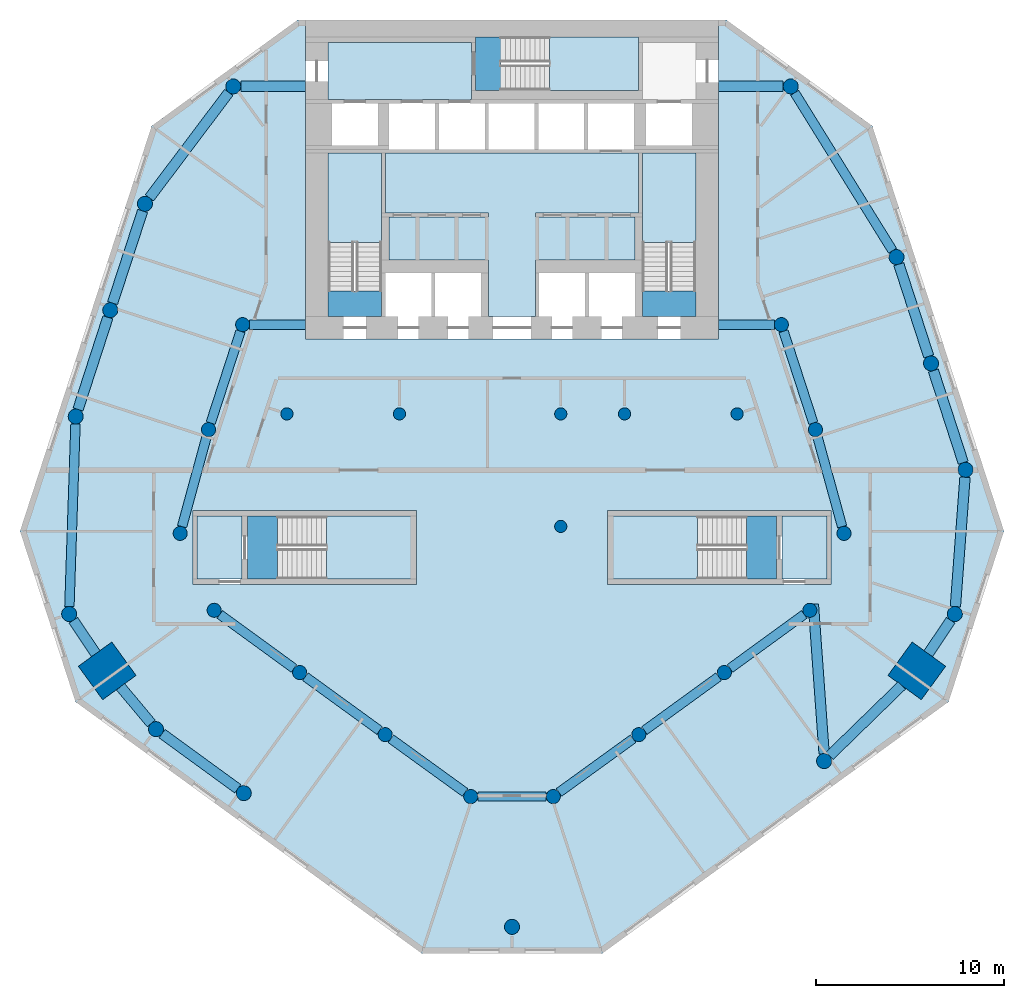
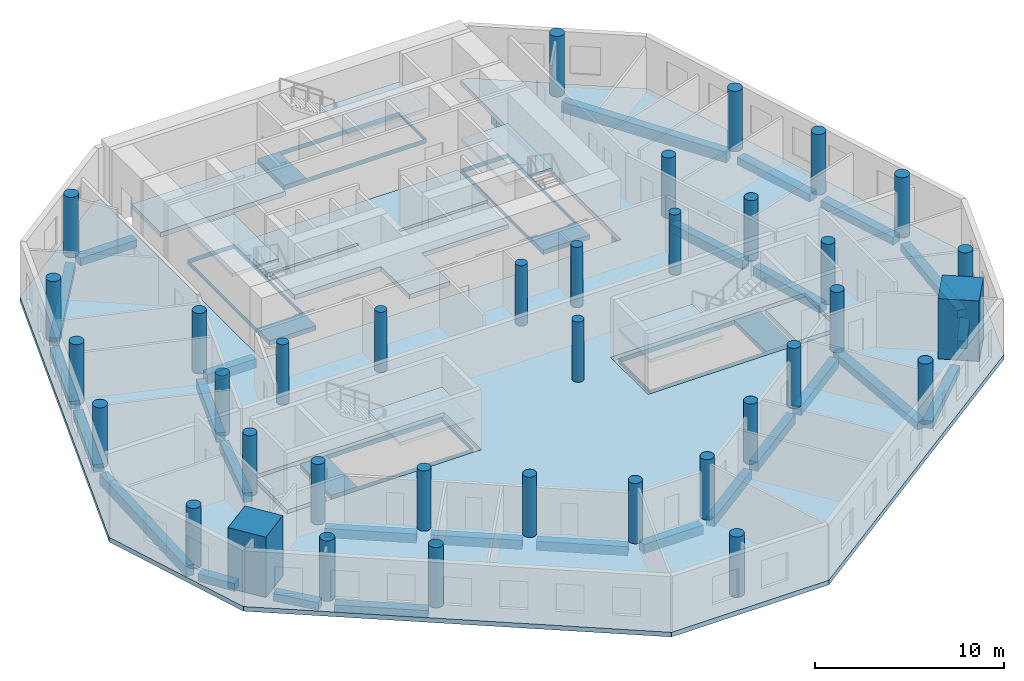
# One storey, part 1 of 9: 36 columns, 29 beams, 15 slabs, 5 elements without a shape of their own.
"""IFC4 building model written with IfcOpenShell, lengths in metres."""

from ifc_helpers import new_model, si_unit, direction, frame, origin, origin_2d, place, context, subcontext, project, spatial, polyline, rectangle, circle, outline, extrude, material, layer, layer_set, material_profile, profile_set, type_object, element, aggregate, save


model = new_model("IFC4")

# Units and contexts
model_context = context("Model", 3, precision=1e-05, world=origin(), true_north=direction((0.0, 1.0)))
body_context = subcontext(model_context, "Body", "Model", "MODEL_VIEW")
ifc_project = project(units=[si_unit("LENGTHUNIT", "METRE"), si_unit("AREAUNIT", "SQUARE_METRE"), si_unit("VOLUMEUNIT", "CUBIC_METRE"), si_unit("PLANEANGLEUNIT", "RADIAN"), si_unit("MASSUNIT", "GRAM", prefix="KILO")], contexts=[model_context])

# Site, building, storey
site_placement = place(None, origin())
site = spatial("IfcSite", under=ifc_project, at=site_placement, CompositionType="ELEMENT")
building_placement = place(site_placement, origin())
building = spatial("IfcBuilding", under=site, at=building_placement, Name="White Candle Pilgrim Tower", CompositionType="ELEMENT")
storey_placement = place(building_placement, frame((0.0, 0.0, 62.39990234375)))
storey = spatial("IfcBuildingStorey", under=building, at=storey_placement, Name="L12", CompositionType="ELEMENT", Elevation=62.39990234375)

# Columns
ifc_material_1 = material(Name="Concrete C80/95", Category="concrete")
ifc_material_profile_1 = material_profile(ifc_material_1, circle(Radius=0.324951171875, at=origin_2d()), Name="RC-COL D650")
ifc_profile_set_1 = profile_set([ifc_material_profile_1], Name="Concrete C80/95")
column_type_1 = type_object("IfcColumnType", Name="Interior column RC-COL D650 C80/95", PredefinedType="COLUMN", material=ifc_profile_set_1)
for number, where, z_axis, x_axis, name in (
    (1, (58.0, 67.0, 0.0), (0.0, 0.0, 1.0), (1.0, 0.0, 0.0), "L12 column I01"),
    (2, (64.0, 67.0, 0.0), (0.0, 0.0, 1.0), (1.0, 0.0, 0.0), "L12 column I02"),
    (3, (72.60009765625, 61.0, 0.0), (0.0, 0.0, 1.0), (1.0, 0.0, 0.0), "L12 column I03"),
    (4, (72.60009765625, 67.0, 0.0), (0.0, 0.0, 1.0), (1.0, 0.0, 0.0), "L12 column I04"),
    (5, (76.0, 67.0, 0.0), (0.0, 0.0, 1.0), (1.0, 0.0, 0.0), "L12 column I05"),
    (6, (82.0, 67.0, 0.0), (0.0, 0.0, 1.0), (1.0, 0.0, 0.0), "L12 column I06"),
):
    element("IfcColumn", number, at=place(storey_placement, frame(where, z_axis=z_axis, x_axis=x_axis)), inside=storey, type_object=column_type_1, Name=name, PredefinedType="COLUMN", context=body_context, shape_type="SweptSolid", body=[
        extrude(circle(Radius=0.324951171875, at=origin_2d()), origin(), (0.0, 0.0, 1.0), 3.900146484375),
    ])
ifc_material_profile_2 = material_profile(ifc_material_1, rectangle(XDim=2.199951171875, YDim=2.199951171875, at=origin_2d()), Name="RC 2200x2200")
ifc_profile_set_2 = profile_set([ifc_material_profile_2], Name="Concrete C80/95")
column_type_2 = type_object("IfcColumnType", Name="Mega column RC 2200x2200 C80/95", PredefinedType="COLUMN", material=ifc_profile_set_2)
for number, where, z_axis, x_axis, name in (
    (7, (48.419921875, 53.300048828125, 0.0), (0.0, 0.0, 1.0), (-0.809016994375, -0.587785252292, 0.0), "L12 mega column T02"),
    (8, (91.580078125, 53.300048828125, 0.0), (0.0, 0.0, 1.0), (0.809016994375, -0.587785252292, 0.0), "L12 mega column T07"),
):
    element("IfcColumn", number, at=place(storey_placement, frame(where, z_axis=z_axis, x_axis=x_axis)), inside=storey, type_object=column_type_2, Name=name, PredefinedType="COLUMN", context=body_context, shape_type="SweptSolid", body=[
        extrude(rectangle(XDim=2.199951171875, YDim=2.199951171875, at=origin_2d()), origin(), (0.0, 0.0, 1.0), 3.900146484375),
    ])
ifc_material_profile_3 = material_profile(ifc_material_1, circle(Radius=0.39990234375, at=origin_2d()), Name="RC-COL D800")
ifc_profile_set_3 = profile_set([ifc_material_profile_3], Name="Concrete C80/95")
column_type_3 = type_object("IfcColumnType", Name="Perimeter column RC-COL D800 C80/95", PredefinedType="COLUMN", material=ifc_profile_set_3)
for number, where, z_axis, x_axis, name in (
    (9, (46.389892578125, 56.330078125, 0.0), (0.0, 0.0, 1.0), (1.0, 0.0, 0.0), "L12 column T01"),
    (10, (51.02001953125, 50.18994140625, 0.0), (0.0, 0.0, 1.0), (1.0, 0.0, 0.0), "L12 column T03"),
    (11, (55.699951171875, 46.780029296875, 0.0), (0.0, 0.0, 1.0), (1.0, 0.0, 0.0), "L12 column T04"),
    (12, (70.0, 39.64990234375, 0.0), (0.0, 0.0, 1.0), (1.0, 0.0, 0.0), "L12 column T05"),
    (13, (86.639892578125, 48.489990234375, 0.0), (0.0, 0.0, 1.0), (1.0, 0.0, 0.0), "L12 column T06"),
    (14, (93.610107421875, 56.330078125, 0.0), (0.0, 0.0, 1.0), (1.0, 0.0, 0.0), "L12 column T08"),
    (15, (94.179931640625, 64.02001953125, 0.0), (0.0, 0.0, 1.0), (1.0, 0.0, 0.0), "L12 column T09"),
    (16, (92.340087890625, 69.68994140625, 0.0), (0.0, 0.0, 1.0), (1.0, 0.0, 0.0), "L12 column T10"),
    (17, (90.5, 75.360107421875, 0.0), (0.0, 0.0, 1.0), (1.0, 0.0, 0.0), "L12 column T11"),
    (18, (84.860107421875, 84.4599609375, 0.0), (0.0, 0.0, 1.0), (1.0, 0.0, 0.0), "L12 column T12"),
    (19, (55.139892578125, 84.4599609375, 0.0), (0.0, 0.0, 1.0), (1.0, 0.0, 0.0), "L12 column T13"),
    (20, (50.429931640625, 78.199951171875, 0.0), (0.0, 0.0, 1.0), (1.0, 0.0, 0.0), "L12 column T14"),
    (21, (48.580078125, 72.530029296875, 0.0), (0.0, 0.0, 1.0), (1.0, 0.0, 0.0), "L12 column T15"),
    (22, (46.739990234375, 66.860107421875, 0.0), (0.0, 0.0, 1.0), (1.0, 0.0, 0.0), "L12 column T16"),
):
    element("IfcColumn", number, at=place(storey_placement, frame(where, z_axis=z_axis, x_axis=x_axis)), inside=storey, type_object=column_type_3, Name=name, PredefinedType="COLUMN", context=body_context, shape_type="SweptSolid", body=[
        extrude(circle(Radius=0.39990234375, at=origin_2d()), origin(), (0.0, 0.0, 1.0), 3.900146484375),
    ])
ifc_material_profile_4 = material_profile(ifc_material_1, circle(Radius=0.375, at=origin_2d()), Name="RC-COL D750")
ifc_profile_set_4 = profile_set([ifc_material_profile_4], Name="Concrete C80/95")
column_type_4 = type_object("IfcColumnType", Name="Ring column RC-COL D750 C80/95", PredefinedType="COLUMN", material=ifc_profile_set_4)
for number, where, z_axis, x_axis, name in (
    (23, (52.31005859375, 60.6298828125, 0.0), (0.0, 0.0, 1.0), (1.0, 0.0, 0.0), "L12 column R01"),
    (24, (54.1201171875, 56.530029296875, 0.0), (0.0, 0.0, 1.0), (1.0, 0.0, 0.0), "L12 column R02"),
    (25, (58.679931640625, 53.2099609375, 0.0), (0.0, 0.0, 1.0), (1.0, 0.0, 0.0), "L12 column R03"),
    (26, (63.239990234375, 49.89990234375, 0.0), (0.0, 0.0, 1.0), (1.0, 0.0, 0.0), "L12 column R04"),
    (27, (67.800048828125, 46.60009765625, 0.0), (0.0, 0.0, 1.0), (1.0, 0.0, 0.0), "L12 column R05"),
    (28, (72.199951171875, 46.60009765625, 0.0), (0.0, 0.0, 1.0), (1.0, 0.0, 0.0), "L12 column R06"),
    (29, (76.760009765625, 49.89990234375, 0.0), (0.0, 0.0, 1.0), (1.0, 0.0, 0.0), "L12 column R07"),
    (30, (81.320068359375, 53.2099609375, 0.0), (0.0, 0.0, 1.0), (1.0, 0.0, 0.0), "L12 column R08"),
    (31, (85.8798828125, 56.530029296875, 0.0), (0.0, 0.0, 1.0), (1.0, 0.0, 0.0), "L12 column R09"),
    (32, (87.699951171875, 60.6298828125, 0.0), (0.0, 0.0, 1.0), (1.0, 0.0, 0.0), "L12 column R10"),
    (33, (86.179931640625, 66.159912109375, 0.0), (0.0, 0.0, 1.0), (1.0, 0.0, 0.0), "L12 column R11"),
    (34, (84.360107421875, 71.760009765625, 0.0), (0.0, 0.0, 1.0), (1.0, 0.0, 0.0), "L12 column R12"),
    (35, (55.639892578125, 71.760009765625, 0.0), (0.0, 0.0, 1.0), (1.0, 0.0, 0.0), "L12 column R13"),
    (36, (53.820068359375, 66.159912109375, 0.0), (0.0, 0.0, 1.0), (1.0, 0.0, 0.0), "L12 column R14"),
):
    element("IfcColumn", number, at=place(storey_placement, frame(where, z_axis=z_axis, x_axis=x_axis)), inside=storey, type_object=column_type_4, Name=name, PredefinedType="COLUMN", context=body_context, shape_type="SweptSolid", body=[
        extrude(circle(Radius=0.375, at=origin_2d()), origin(), (0.0, 0.0, 1.0), 3.900146484375),
    ])

# Beams
ifc_material_2 = material(Name="Concrete C50/60", Category="concrete")
ifc_material_profile_5 = material_profile(ifc_material_2, rectangle(XDim=0.5, YDim=0.60009765625, at=origin_2d()), Name="RC-BM 500x600")
ifc_profile_set_5 = profile_set([ifc_material_profile_5], Name="Concrete C50/60")
beam_type_1 = type_object("IfcBeamType", Name="Ring beam RC-BM 500x600 C50/60", PredefinedType="BEAM", material=ifc_profile_set_5)
beam_1_placement = place(storey_placement, frame((54.423095703125, 56.309326171875, -0.599853515625), z_axis=(0.808431607518, -0.58859012561, 0.0), x_axis=(0.58859012561, 0.808431607518, 0.0)))
element("IfcBeam", 37, at=beam_1_placement, inside=storey, type_object=beam_type_1, Name="L12 ring beam R01", PredefinedType="BEAM", context=body_context, shape_type="SweptSolid", body=[
    extrude(rectangle(XDim=0.5, YDim=0.60009765625, at=origin_2d()), origin(), (0.0, 0.0, 1.0), 4.890869140625),
])
beam_2_placement = place(storey_placement, frame((58.9833984375, 52.98974609375, -0.599853515625), z_axis=(0.809276033964, -0.587428549572, 0.0), x_axis=(0.587428549572, 0.809276033964, 0.0)))
element("IfcBeam", 38, at=beam_2_placement, inside=storey, type_object=beam_type_1, Name="L12 ring beam R02", PredefinedType="BEAM", context=body_context, shape_type="SweptSolid", body=[
    extrude(rectangle(XDim=0.5, YDim=0.60009765625, at=origin_2d()), origin(), (0.0, 0.0, 1.0), 4.885009765625),
])
beam_3_placement = place(storey_placement, frame((63.543701171875, 49.680419921875, -0.599853515625), z_axis=(0.810079795278, -0.586319644291, 0.0), x_axis=(0.586319644291, 0.810079795278, 0.0)))
element("IfcBeam", 39, at=beam_3_placement, inside=storey, type_object=beam_type_1, Name="L12 ring beam R03", PredefinedType="BEAM", context=body_context, shape_type="SweptSolid", body=[
    extrude(rectangle(XDim=0.5, YDim=0.60009765625, at=origin_2d()), origin(), (0.0, 0.0, 1.0), 4.87939453125),
])
beam_4_placement = place(storey_placement, frame((68.175048828125, 46.60009765625, -0.599853515625), z_axis=(1.0, 0.0, 0.0), x_axis=(0.0, 1.0, 0.0)))
element("IfcBeam", 40, at=beam_4_placement, inside=storey, type_object=beam_type_1, Name="L12 ring beam R04", PredefinedType="BEAM", context=body_context, shape_type="SweptSolid", body=[
    extrude(rectangle(XDim=0.5, YDim=0.60009765625, at=origin_2d()), origin(), (0.0, 0.0, 1.0), 3.64990234375),
])
beam_5_placement = place(storey_placement, frame((72.503662109375, 46.819580078125, -0.599853515625), z_axis=(0.810079795278, 0.586319644291, 0.0), x_axis=(-0.586319644291, 0.810079795278, 0.0)))
element("IfcBeam", 41, at=beam_5_placement, inside=storey, type_object=beam_type_1, Name="L12 ring beam R05", PredefinedType="BEAM", context=body_context, shape_type="SweptSolid", body=[
    extrude(rectangle(XDim=0.5, YDim=0.60009765625, at=origin_2d()), origin(), (0.0, 0.0, 1.0), 4.87939453125),
])
beam_6_placement = place(storey_placement, frame((77.063232421875, 50.1201171875, -0.599853515625), z_axis=(0.809276033964, 0.587428549572, 0.0), x_axis=(-0.587428549572, 0.809276033964, 0.0)))
element("IfcBeam", 42, at=beam_6_placement, inside=storey, type_object=beam_type_1, Name="L12 ring beam R06", PredefinedType="BEAM", context=body_context, shape_type="SweptSolid", body=[
    extrude(rectangle(XDim=0.5, YDim=0.60009765625, at=origin_2d()), origin(), (0.0, 0.0, 1.0), 4.885009765625),
])
beam_7_placement = place(storey_placement, frame((81.623046875, 53.4306640625, -0.599853515625), z_axis=(0.808431607518, 0.58859012561, 0.0), x_axis=(-0.58859012561, 0.808431607518, 0.0)))
element("IfcBeam", 43, at=beam_7_placement, inside=storey, type_object=beam_type_1, Name="L12 ring beam R07", PredefinedType="BEAM", context=body_context, shape_type="SweptSolid", body=[
    extrude(rectangle(XDim=0.5, YDim=0.60009765625, at=origin_2d()), origin(), (0.0, 0.0, 1.0), 4.890869140625),
])
beam_8_placement = place(storey_placement, frame((87.6005859375, 60.991455078125, -0.599853515625), z_axis=(-0.265031278819, 0.964239815216, 0.0), x_axis=(-0.964239815216, -0.265031278819, 0.0)))
element("IfcBeam", 44, at=beam_8_placement, inside=storey, type_object=beam_type_1, Name="L12 ring beam R08", PredefinedType="BEAM", context=body_context, shape_type="SweptSolid", body=[
    extrude(rectangle(XDim=0.5, YDim=0.60009765625, at=origin_2d()), origin(), (0.0, 0.0, 1.0), 4.9853515625),
])
beam_9_placement = place(storey_placement, frame((86.064208984375, 66.5166015625, -0.599853515625), z_axis=(-0.309106483996, 0.9510274347, 0.0), x_axis=(-0.9510274347, -0.309106483996, 0.0)))
element("IfcBeam", 45, at=beam_9_placement, inside=storey, type_object=beam_type_1, Name="L12 ring beam R09", PredefinedType="BEAM", context=body_context, shape_type="SweptSolid", body=[
    extrude(rectangle(XDim=0.5, YDim=0.60009765625, at=origin_2d()), origin(), (0.0, 0.0, 1.0), 5.138671875),
])
for number, where, z_axis, x_axis, name in (
    (46, (83.985107421875, 71.760009765625, -0.599853515625), (-1.0, 0.0, 0.0), (0.0, -1.0, 0.0), "L12 ring beam R10"),
    (47, (56.014892578125, 71.760009765625, -0.599853515625), (1.0, 0.0, 0.0), (0.0, 1.0, 0.0), "L12 ring beam R11"),
):
    element("IfcBeam", number, at=place(storey_placement, frame(where, z_axis=z_axis, x_axis=x_axis)), inside=storey, type_object=beam_type_1, Name=name, PredefinedType="BEAM", context=body_context, shape_type="SweptSolid", body=[
        extrude(rectangle(XDim=0.5, YDim=0.60009765625, at=origin_2d()), origin(), (0.0, 0.0, 1.0), 2.985107421875),
    ])
beam_10_placement = place(storey_placement, frame((55.524169921875, 71.403564453125, -0.599853515625), z_axis=(-0.309106483996, -0.9510274347, 0.0), x_axis=(0.9510274347, -0.309106483996, 0.0)))
element("IfcBeam", 48, at=beam_10_placement, inside=storey, type_object=beam_type_1, Name="L12 ring beam R12", PredefinedType="BEAM", context=body_context, shape_type="SweptSolid", body=[
    extrude(rectangle(XDim=0.5, YDim=0.60009765625, at=origin_2d()), origin(), (0.0, 0.0, 1.0), 5.138671875),
])
beam_11_placement = place(storey_placement, frame((53.72119140625, 65.79833984375, -0.599853515625), z_axis=(-0.263415907103, -0.964682362172, 0.0), x_axis=(0.964682362172, -0.263415907103, 0.0)))
element("IfcBeam", 49, at=beam_11_placement, inside=storey, type_object=beam_type_1, Name="L12 ring beam R13", PredefinedType="BEAM", context=body_context, shape_type="SweptSolid", body=[
    extrude(rectangle(XDim=0.5, YDim=0.60009765625, at=origin_2d()), origin(), (0.0, 0.0, 1.0), 4.982666015625),
])
ifc_material_profile_6 = material_profile(ifc_material_2, rectangle(XDim=0.5, YDim=0.699951171875, at=origin_2d()), Name="RC-BM 500x700")
ifc_profile_set_6 = profile_set([ifc_material_profile_6], Name="Concrete C50/60")
beam_type_2 = type_object("IfcBeamType", Name="Spandrel beam RC-BM 500x700 C50/60", PredefinedType="BEAM", material=ifc_profile_set_6)
beam_12_placement = place(storey_placement, frame((90.289306640625, 75.69970703125, -0.64990234375), z_axis=(-0.526800809553, 0.849988768781, 0.0), x_axis=(-0.849988768781, -0.526800809553, 0.0)))
element("IfcBeam", 50, at=beam_12_placement, inside=storey, type_object=beam_type_2, Name="L12 spandrel beam T10", PredefinedType="BEAM", context=body_context, shape_type="SweptSolid", body=[
    extrude(rectangle(XDim=0.5, YDim=0.699951171875, at=origin_2d()), origin(), (0.0, 0.0, 1.0), 9.906494140625),
])
beam_13_placement = place(storey_placement, frame((46.726806640625, 66.46044921875, -0.64990234375), z_axis=(-0.033224659514, -0.999447908598, 0.0), x_axis=(0.999447908598, -0.033224659514, 0.0)))
element("IfcBeam", 51, at=beam_13_placement, inside=storey, type_object=beam_type_2, Name="L12 spandrel beam T16", PredefinedType="BEAM", context=body_context, shape_type="SweptSolid", body=[
    extrude(rectangle(XDim=0.5, YDim=0.699951171875, at=origin_2d()), origin(), (0.0, 0.0, 1.0), 9.736328125),
])
ifc_material_profile_7 = material_profile(ifc_material_2, rectangle(XDim=0.550048828125, YDim=0.5, at=origin_2d()), Name="RC-BM 550x500")
ifc_profile_set_7 = profile_set([ifc_material_profile_7], Name="Concrete C50/60")
beam_type_3 = type_object("IfcBeamType", Name="Spandrel beam RC-BM 550x500 C50/60", PredefinedType="BEAM", material=ifc_profile_set_7)
beam_14_placement = place(storey_placement, frame((46.612548828125, 55.997802734375, -0.5498046875), z_axis=(0.556641005169, -0.830753147069, 0.0), x_axis=(0.830753147069, 0.556641005169, 0.0)))
element("IfcBeam", 52, at=beam_14_placement, inside=storey, type_object=beam_type_3, Name="L12 spandrel beam T01", PredefinedType="BEAM", context=body_context, shape_type="SweptSolid", body=[
    extrude(rectangle(XDim=0.550048828125, YDim=0.5, at=origin_2d()), origin(), (0.0, 0.0, 1.0), 2.146484375),
])
beam_15_placement = place(storey_placement, frame((49.127197265625, 52.4541015625, -0.5498046875), z_axis=(0.641388324436, -0.767216408373, 0.0), x_axis=(0.767216408373, 0.641388324436, 0.0)))
element("IfcBeam", 53, at=beam_15_placement, inside=storey, type_object=beam_type_3, Name="L12 spandrel beam T02", PredefinedType="BEAM", context=body_context, shape_type="SweptSolid", body=[
    extrude(rectangle(XDim=0.550048828125, YDim=0.5, at=origin_2d()), origin(), (0.0, 0.0, 1.0), 2.551513671875),
])
beam_16_placement = place(storey_placement, frame((51.343017578125, 49.95458984375, -0.5498046875), z_axis=(0.808217539001, -0.588884037525, 0.0), x_axis=(0.588884037525, 0.808217539001, 0.0)))
element("IfcBeam", 54, at=beam_16_placement, inside=storey, type_object=beam_type_3, Name="L12 spandrel beam T03", PredefinedType="BEAM", context=body_context, shape_type="SweptSolid", body=[
    extrude(rectangle(XDim=0.550048828125, YDim=0.5, at=origin_2d()), origin(), (0.0, 0.0, 1.0), 4.9912109375),
])
beam_17_placement = place(storey_placement, frame((86.639892578125, 48.889892578125, -0.5498046875), z_axis=(-0.071694624988, 0.997426629255, 0.0), x_axis=(-0.997426629255, -0.071694624988, 0.0)))
element("IfcBeam", 55, at=beam_17_placement, inside=storey, type_object=beam_type_3, Name="L12 spandrel beam T04", PredefinedType="BEAM", context=body_context, shape_type="SweptSolid", body=[
    extrude(rectangle(XDim=0.550048828125, YDim=0.5, at=origin_2d()), origin(), (0.0, 0.0, 1.0), 7.9853515625),
])
beam_18_placement = place(storey_placement, frame((86.926513671875, 48.768798828125, -0.5498046875), z_axis=(0.716462232914, 0.697625880259, 0.0), x_axis=(-0.697625880259, 0.716462232914, 0.0)))
element("IfcBeam", 56, at=beam_18_placement, inside=storey, type_object=beam_type_3, Name="L12 spandrel beam T05", PredefinedType="BEAM", context=body_context, shape_type="SweptSolid", body=[
    extrude(rectangle(XDim=0.550048828125, YDim=0.5, at=origin_2d()), origin(), (0.0, 0.0, 1.0), 5.37890625),
])
beam_19_placement = place(storey_placement, frame((92.192626953125, 54.214599609375, -0.5498046875), z_axis=(0.556641005169, 0.830753147069, 0.0), x_axis=(-0.830753147069, 0.556641005169, 0.0)))
element("IfcBeam", 57, at=beam_19_placement, inside=storey, type_object=beam_type_3, Name="L12 spandrel beam T06", PredefinedType="BEAM", context=body_context, shape_type="SweptSolid", body=[
    extrude(rectangle(XDim=0.550048828125, YDim=0.5, at=origin_2d()), origin(), (0.0, 0.0, 1.0), 2.146484375),
])
beam_20_placement = place(storey_placement, frame((93.6396484375, 56.728759765625, -0.5498046875), z_axis=(0.073900311906, 0.99726563357, 0.0), x_axis=(-0.99726563357, 0.073900311906, 0.0)))
element("IfcBeam", 58, at=beam_20_placement, inside=storey, type_object=beam_type_3, Name="L12 spandrel beam T07", PredefinedType="BEAM", context=body_context, shape_type="SweptSolid", body=[
    extrude(rectangle(XDim=0.550048828125, YDim=0.5, at=origin_2d()), origin(), (0.0, 0.0, 1.0), 6.9111328125),
])
for number, where, z_axis, x_axis, name in (
    (59, (94.056640625, 64.400390625, -0.5498046875), (-0.308682827488, 0.951165028801, 0.0), (-0.951165028801, -0.308682827488, 0.0), "L12 spandrel beam T08"),
    (60, (92.216552734375, 70.0703125, -0.5498046875), (-0.308682827488, 0.951165028801, 0.0), (-0.951165028801, -0.308682827488, 0.0), "L12 spandrel beam T09"),
):
    element("IfcBeam", number, at=place(storey_placement, frame(where, z_axis=z_axis, x_axis=x_axis)), inside=storey, type_object=beam_type_3, Name=name, PredefinedType="BEAM", context=body_context, shape_type="SweptSolid", body=[
        extrude(rectangle(XDim=0.550048828125, YDim=0.5, at=origin_2d()), origin(), (0.0, 0.0, 1.0), 5.161376953125),
    ])
for number, where, z_axis, x_axis, name in (
    (61, (84.4599609375, 84.4599609375, -0.5498046875), (-1.0, 0.0, 0.0), (0.0, -1.0, 0.0), "L12 spandrel beam T11"),
    (62, (55.5400390625, 84.4599609375, -0.5498046875), (1.0, 0.0, 0.0), (0.0, 1.0, 0.0), "L12 spandrel beam T12"),
):
    element("IfcBeam", number, at=place(storey_placement, frame(where, z_axis=z_axis, x_axis=x_axis)), inside=storey, type_object=beam_type_3, Name=name, PredefinedType="BEAM", context=body_context, shape_type="SweptSolid", body=[
        extrude(rectangle(XDim=0.550048828125, YDim=0.5, at=origin_2d()), origin(), (0.0, 0.0, 1.0), 3.4599609375),
    ])
beam_21_placement = place(storey_placement, frame((54.899658203125, 84.140380859375, -0.5498046875), z_axis=(-0.601237643972, -0.79907026942, 0.0), x_axis=(0.79907026942, -0.601237643972, 0.0)))
element("IfcBeam", 63, at=beam_21_placement, inside=storey, type_object=beam_type_3, Name="L12 spandrel beam T13", PredefinedType="BEAM", context=body_context, shape_type="SweptSolid", body=[
    extrude(rectangle(XDim=0.550048828125, YDim=0.5, at=origin_2d()), origin(), (0.0, 0.0, 1.0), 7.0341796875),
])
beam_22_placement = place(storey_placement, frame((50.305908203125, 77.81982421875, -0.5498046875), z_axis=(-0.310165508273, -0.950682574511, 0.0), x_axis=(0.950682574511, -0.310165508273, 0.0)))
element("IfcBeam", 64, at=beam_22_placement, inside=storey, type_object=beam_type_3, Name="L12 spandrel beam T14", PredefinedType="BEAM", context=body_context, shape_type="SweptSolid", body=[
    extrude(rectangle(XDim=0.550048828125, YDim=0.5, at=origin_2d()), origin(), (0.0, 0.0, 1.0), 5.164306640625),
])
beam_23_placement = place(storey_placement, frame((48.45654296875, 72.149658203125, -0.5498046875), z_axis=(-0.308682827488, -0.951165028801, 0.0), x_axis=(0.951165028801, -0.308682827488, 0.0)))
element("IfcBeam", 65, at=beam_23_placement, inside=storey, type_object=beam_type_3, Name="L12 spandrel beam T15", PredefinedType="BEAM", context=body_context, shape_type="SweptSolid", body=[
    extrude(rectangle(XDim=0.550048828125, YDim=0.5, at=origin_2d()), origin(), (0.0, 0.0, 1.0), 5.161376953125),
])

# Slabs
ifc_material_3 = material(Name="Concrete C40/50", Category="concrete")
ifc_layer_1 = layer(ifc_material_3, 0.300048828125)
ifc_layer_set_1 = layer_set([ifc_layer_1], Name="Core floor slab 300 mm Concrete C40/50")
slab_type_1 = type_object("IfcSlabType", Name="Core floor slab 300 mm Concrete C40/50", PredefinedType="FLOOR", material=ifc_layer_set_1)
slab_1_placement = place(storey_placement, frame((0.0, 0.0, -0.2998046875)))
element("IfcSlab", 66, at=slab_1_placement, inside=storey, type_object=slab_type_1, Name="CF-L12-01", PredefinedType="FLOOR", context=body_context, shape_type="SweptSolid", body=[
    extrude(outline(polyline([(55.60009765625, 58.199951171875), (53.199951171875, 58.199951171875), (53.199951171875, 61.550048828125), (55.60009765625, 61.550048828125), (55.60009765625, 58.199951171875)])), origin(), (0.0, 0.0, 1.0), 0.2998046875),
])
slab_2_placement = place(storey_placement, frame((0.0, 0.0, -0.2998046875)))
element("IfcSlab", 67, at=slab_2_placement, inside=storey, type_object=slab_type_1, Name="CF-L12-02", PredefinedType="FLOOR", context=body_context, shape_type="SweptSolid", body=[
    extrude(outline(polyline([(55.89990234375, 58.199951171875), (55.89990234375, 61.550048828125), (64.60009765625, 61.550048828125), (64.60009765625, 58.199951171875), (55.89990234375, 58.199951171875)]), holes=[polyline([(57.501953125, 61.548095703125), (57.501953125, 58.201904296875), (64.597900390625, 58.201904296875), (64.597900390625, 61.548095703125), (57.501953125, 61.548095703125)])]), origin(), (0.0, 0.0, 1.0), 0.2998046875),
])
slab_3_placement = place(storey_placement, frame((0.0, 0.0, -0.2998046875)))
element("IfcSlab", 68, at=slab_3_placement, inside=storey, type_object=slab_type_1, Name="CF-L12-03", PredefinedType="FLOOR", context=body_context, shape_type="SweptSolid", body=[
    extrude(outline(polyline([(75.39990234375, 58.199951171875), (75.39990234375, 61.550048828125), (84.10009765625, 61.550048828125), (84.10009765625, 58.199951171875), (75.39990234375, 58.199951171875)]), holes=[polyline([(82.498046875, 58.201904296875), (82.498046875, 61.548095703125), (75.402099609375, 61.548095703125), (75.402099609375, 58.201904296875), (82.498046875, 58.201904296875)])]), origin(), (0.0, 0.0, 1.0), 0.2998046875),
])
slab_4_placement = place(storey_placement, frame((0.0, 0.0, -0.2998046875)))
element("IfcSlab", 69, at=slab_4_placement, inside=storey, type_object=slab_type_1, Name="CF-L12-04", PredefinedType="FLOOR", context=body_context, shape_type="SweptSolid", body=[
    extrude(outline(polyline([(86.800048828125, 58.199951171875), (84.39990234375, 58.199951171875), (84.39990234375, 61.550048828125), (86.800048828125, 61.550048828125), (86.800048828125, 58.199951171875)])), origin(), (0.0, 0.0, 1.0), 0.2998046875),
])
slab_5_placement = place(storey_placement, frame((0.0, 0.0, -0.2998046875)))
element("IfcSlab", 70, at=slab_5_placement, inside=storey, type_object=slab_type_1, Name="CF-L12-05", PredefinedType="FLOOR", context=body_context, shape_type="SweptSolid", body=[
    extrude(outline(polyline([(76.75, 87.10009765625), (76.75, 86.800048828125), (76.75, 84.25), (68.050048828125, 84.25), (68.050048828125, 86.800048828125), (68.050048828125, 87.10009765625), (76.75, 87.10009765625)]), holes=[polyline([(69.402099609375, 87.097900390625), (69.402099609375, 84.251953125), (76.748046875, 84.251953125), (76.748046875, 87.097900390625), (69.402099609375, 87.097900390625)])]), origin(), (0.0, 0.0, 1.0), 0.2998046875),
])
slab_6_placement = place(storey_placement, frame((0.0, 0.0, -0.2998046875)))
element("IfcSlab", 71, at=slab_6_placement, inside=storey, type_object=slab_type_1, Name="CF-L12-07", PredefinedType="FLOOR", context=body_context, shape_type="SweptSolid", body=[
    extrude(outline(polyline([(79.800048828125, 72.199951171875), (76.949951171875, 72.199951171875), (76.949951171875, 74.5), (76.949951171875, 75.199951171875), (76.949951171875, 77.5), (76.949951171875, 77.699951171875), (76.949951171875, 80.89990234375), (79.800048828125, 80.89990234375), (79.800048828125, 72.199951171875)]), holes=[polyline([(76.951904296875, 73.552001953125), (79.798095703125, 73.552001953125), (79.798095703125, 80.89794921875), (76.951904296875, 80.89794921875), (76.951904296875, 73.552001953125)])]), origin(), (0.0, 0.0, 1.0), 0.2998046875),
])
slab_7_placement = place(storey_placement, frame((0.0, 0.0, -0.2998046875)))
element("IfcSlab", 72, at=slab_7_placement, inside=storey, type_object=slab_type_1, Name="CF-L12-08", PredefinedType="FLOOR", context=body_context, shape_type="SweptSolid", body=[
    extrude(outline(polyline([(68.75, 72.199951171875), (68.75, 74.5), (68.75, 75.199951171875), (63.449951171875, 75.199951171875), (63.449951171875, 77.5), (68.75, 77.5), (68.75, 77.699951171875), (63.25, 77.699951171875), (63.25, 80.89990234375), (76.75, 80.89990234375), (76.75, 77.699951171875), (71.25, 77.699951171875), (71.25, 77.5), (76.550048828125, 77.5), (76.550048828125, 75.199951171875), (71.25, 75.199951171875), (71.25, 74.5), (71.25, 72.199951171875), (68.75, 72.199951171875)])), origin(), (0.0, 0.0, 1.0), 0.2998046875),
])
slab_8_placement = place(storey_placement, frame((0.0, 0.0, -0.2998046875)))
element("IfcSlab", 73, at=slab_8_placement, inside=storey, type_object=slab_type_1, Name="CF-L12-09", PredefinedType="FLOOR", context=body_context, shape_type="SweptSolid", body=[
    extrude(outline(polyline([(60.199951171875, 72.199951171875), (60.199951171875, 80.89990234375), (63.050048828125, 80.89990234375), (63.050048828125, 77.699951171875), (63.050048828125, 77.5), (63.050048828125, 75.199951171875), (63.050048828125, 74.5), (63.050048828125, 72.199951171875), (60.199951171875, 72.199951171875)]), holes=[polyline([(60.201904296875, 73.552001953125), (63.048095703125, 73.552001953125), (63.048095703125, 80.89794921875), (60.201904296875, 80.89794921875), (60.201904296875, 73.552001953125)])]), origin(), (0.0, 0.0, 1.0), 0.2998046875),
])
slab_9_placement = place(storey_placement, frame((0.0, 0.0, -0.2998046875)))
element("IfcSlab", 74, at=slab_9_placement, inside=storey, type_object=slab_type_1, Name="CF-L12-10", PredefinedType="FLOOR", context=body_context, shape_type="SweptSolid", body=[
    extrude(outline(polyline([(60.199951171875, 86.800048828125), (67.85009765625, 86.800048828125), (67.85009765625, 84.25), (67.85009765625, 83.75), (60.199951171875, 83.75), (60.199951171875, 86.800048828125)])), origin(), (0.0, 0.0, 1.0), 0.2998046875),
])
ifc_layer_2 = layer(ifc_material_3, 0.300048828125)
ifc_layer_set_2 = layer_set([ifc_layer_2], Name="Floor slab 300 REI 120")
slab_type_2 = type_object("IfcSlabType", Name="Floor slab 300 REI 120", PredefinedType="FLOOR", material=ifc_layer_set_2)
slab_10_placement = place(storey_placement, frame((0.0, 0.0, -0.2998046875)))
element("IfcSlab", 75, at=slab_10_placement, inside=storey, type_object=slab_type_2, Name="L12 floor slab", PredefinedType="FLOOR", context=body_context, shape_type="SweptSolid", body=[
    extrude(outline(polyline([(65.18798828125, 38.235595703125), (74.81201171875, 38.235595703125), (93.274169921875, 51.64892578125), (96.23046875, 60.747314453125), (89.210693359375, 82.352294921875), (81.43701171875, 88.0), (81.0, 88.0), (81.0, 71.0), (59.0, 71.0), (59.0, 88.0), (58.56298828125, 88.0), (50.789306640625, 82.352294921875), (43.76953125, 60.747314453125), (46.725830078125, 51.64892578125), (65.18798828125, 38.235595703125)]), holes=[polyline([(53.0, 57.89990234375), (53.0, 61.85009765625), (64.89990234375, 61.85009765625), (64.89990234375, 57.89990234375), (53.0, 57.89990234375)]), polyline([(75.10009765625, 57.89990234375), (75.10009765625, 61.85009765625), (87.0, 61.85009765625), (87.0, 57.89990234375), (75.10009765625, 57.89990234375)])]), origin(), (0.0, 0.0, 1.0), 0.2998046875),
])

# Stair, slab
stair_type_1 = type_object("IfcStairType", Name="Exit stair 1 flight width 1350 mm", PredefinedType="HALF_TURN_STAIR", material=ifc_material_3)
stair_1_placement = place(storey_placement, origin())
stair_1 = element("IfcStair", 76, at=stair_1_placement, inside=storey, type_object=stair_type_1, Name="L12 stair 1", PredefinedType="NOTDEFINED")
ifc_layer_3 = layer(ifc_material_3, 0.199951171875)
ifc_layer_set_3 = layer_set([ifc_layer_3], Name="Stair landing Concrete C40/50")
slab_type_3 = type_object("IfcSlabType", Name="Stair landing Concrete C40/50", PredefinedType="LANDING", material=ifc_layer_set_3)
slab_11_placement = place(storey_placement, frame((0.0, 0.0, 1.75)))
slab_11 = element("IfcSlab", 77, at=slab_11_placement, type_object=slab_type_3, Name="ST1 landing 1", PredefinedType="LANDING", context=body_context, shape_type="SweptSolid", body=[
    extrude(outline(polyline([(63.052001953125, 76.14794921875), (60.197998046875, 76.14794921875), (60.197998046875, 80.902099609375), (63.052001953125, 80.902099609375), (63.052001953125, 76.14794921875)])), origin(), (0.0, 0.0, 1.0), 0.2001953125),
])
aggregate(stair_1, [slab_11])

stair_type_2 = type_object("IfcStairType", Name="Exit stair 2 flight width 1350 mm", PredefinedType="HALF_TURN_STAIR", material=ifc_material_3)
stair_2_placement = place(storey_placement, origin())
stair_2 = element("IfcStair", 78, at=stair_2_placement, inside=storey, type_object=stair_type_2, Name="L12 stair 2", PredefinedType="NOTDEFINED")
slab_12_placement = place(storey_placement, frame((0.0, 0.0, 1.75)))
slab_12 = element("IfcSlab", 79, at=slab_12_placement, type_object=slab_type_3, Name="ST2 landing 1", PredefinedType="LANDING", context=body_context, shape_type="SweptSolid", body=[
    extrude(outline(polyline([(79.802001953125, 76.14794921875), (76.947998046875, 76.14794921875), (76.947998046875, 80.902099609375), (79.802001953125, 80.902099609375), (79.802001953125, 76.14794921875)])), origin(), (0.0, 0.0, 1.0), 0.2001953125),
])
aggregate(stair_2, [slab_12])

stair_type_3 = type_object("IfcStairType", Name="Exit stair 3 flight width 1350 mm", PredefinedType="HALF_TURN_STAIR", material=ifc_material_3)
stair_3_placement = place(storey_placement, origin())
stair_3 = element("IfcStair", 80, at=stair_3_placement, inside=storey, type_object=stair_type_3, Name="L12 stair 3", PredefinedType="NOTDEFINED")
slab_13_placement = place(storey_placement, frame((0.0, 0.0, 1.75)))
slab_13 = element("IfcSlab", 81, at=slab_13_placement, type_object=slab_type_3, Name="ST3 landing 1", PredefinedType="LANDING", context=body_context, shape_type="SweptSolid", body=[
    extrude(outline(polyline([(71.998046875, 84.248046875), (71.998046875, 87.10205078125), (76.751953125, 87.10205078125), (76.751953125, 84.248046875), (71.998046875, 84.248046875)])), origin(), (0.0, 0.0, 1.0), 0.2001953125),
])
aggregate(stair_3, [slab_13])

stair_type_4 = type_object("IfcStairType", Name="Exit stair 4 flight width 1600 mm", PredefinedType="HALF_TURN_STAIR", material=ifc_material_3)
stair_4_placement = place(storey_placement, origin())
stair_4 = element("IfcStair", 82, at=stair_4_placement, inside=storey, type_object=stair_type_4, Name="L12 stair 4", PredefinedType="NOTDEFINED")
slab_14_placement = place(storey_placement, frame((0.0, 0.0, 1.75)))
slab_14 = element("IfcSlab", 83, at=slab_14_placement, type_object=slab_type_3, Name="ST4 landing 1", PredefinedType="LANDING", context=body_context, shape_type="SweptSolid", body=[
    extrude(outline(polyline([(79.902099609375, 61.552001953125), (79.902099609375, 58.197998046875), (75.39794921875, 58.197998046875), (75.39794921875, 61.552001953125), (79.902099609375, 61.552001953125)])), origin(), (0.0, 0.0, 1.0), 0.2001953125),
])
aggregate(stair_4, [slab_14])

stair_type_5 = type_object("IfcStairType", Name="Exit stair 5 flight width 1600 mm", PredefinedType="HALF_TURN_STAIR", material=ifc_material_3)
stair_5_placement = place(storey_placement, origin())
stair_5 = element("IfcStair", 84, at=stair_5_placement, inside=storey, type_object=stair_type_5, Name="L12 stair 5", PredefinedType="NOTDEFINED")
slab_15_placement = place(storey_placement, frame((0.0, 0.0, 1.75)))
slab_15 = element("IfcSlab", 85, at=slab_15_placement, type_object=slab_type_3, Name="ST5 landing 1", PredefinedType="LANDING", context=body_context, shape_type="SweptSolid", body=[
    extrude(outline(polyline([(60.097900390625, 58.197998046875), (60.097900390625, 61.552001953125), (64.60205078125, 61.552001953125), (64.60205078125, 58.197998046875), (60.097900390625, 58.197998046875)])), origin(), (0.0, 0.0, 1.0), 0.2001953125),
])
aggregate(stair_5, [slab_15])

save(model, "model.ifc")
